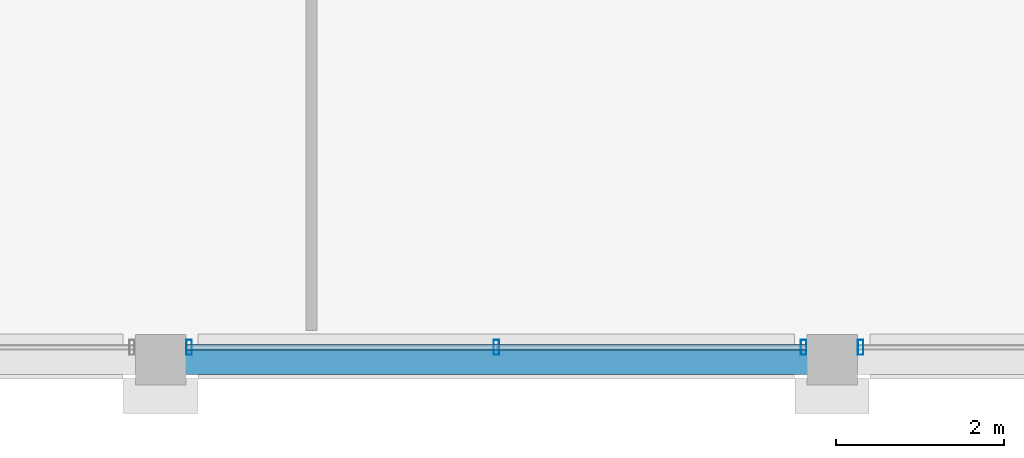
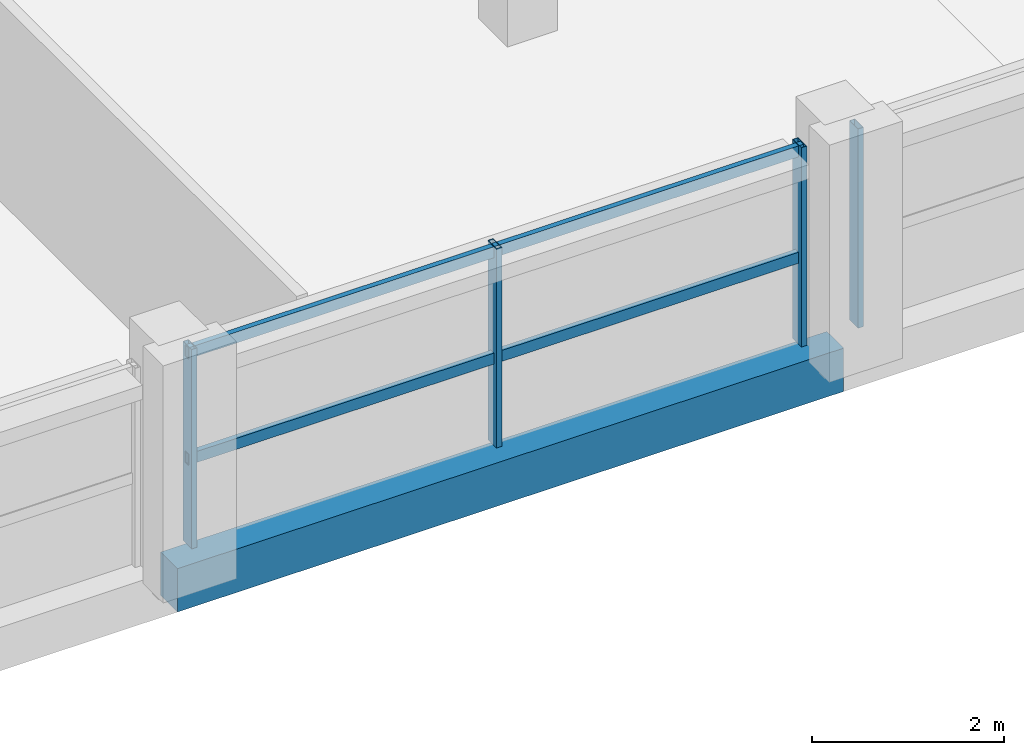
# One storey, part 5 of 24: 6 members, 1 beam, 2 elements without a shape of their own.
"""IFC4 building model written with IfcOpenShell, lengths in metres."""

from ifc_helpers import new_model, si_unit, direction, frame, origin, origin_2d, place, context, subcontext, project, spatial, rectangle, hollow_rectangle, extrude, material, material_profile, profile_set, type_object, element, aggregate, save


model = new_model("IFC4")

# Units and contexts
model_context = context("Model", 3, precision=1e-05, world=origin(), true_north=direction((0.0, 1.0)))
body_context = subcontext(model_context, "Body", "Model", "MODEL_VIEW")
ifc_project = project(units=[si_unit("LENGTHUNIT", "METRE"), si_unit("AREAUNIT", "SQUARE_METRE"), si_unit("VOLUMEUNIT", "CUBIC_METRE"), si_unit("PLANEANGLEUNIT", "RADIAN"), si_unit("MASSUNIT", "GRAM", prefix="KILO")], contexts=[model_context])

# Site, building, storey
site_placement = place(None, origin())
site = spatial("IfcSite", under=ifc_project, at=site_placement, CompositionType="ELEMENT")
building_placement = place(site_placement, origin())
building = spatial("IfcBuilding", under=site, at=building_placement, Name="Akrevak Sports Hall", CompositionType="ELEMENT")
storey_placement = place(building_placement, frame((0.0, 0.0, 63.300048828125)))
storey = spatial("IfcBuildingStorey", under=building, at=storey_placement, Name="L16", CompositionType="ELEMENT", Elevation=63.300048828125)

# Curtain wall, members
ifc_material_1 = material(Name="Anodized Bronze Aluminium & Low-E Glass", Category="aluminium")
curtain_wall_type = type_object("IfcCurtainWallType", Name="ARC-CW-TWR-72x30", PredefinedType="NOTDEFINED", material=ifc_material_1)
curtain_wall_1_placement = place(storey_placement, origin())
curtain_wall_1 = element("IfcCurtainWall", 1, at=curtain_wall_1_placement, inside=storey, type_object=curtain_wall_type, Name="Curtain Wall CW-L16-S03", PredefinedType="NOTDEFINED")
ifc_material_2 = material(Name="Anodized Bronze Aluminium", Category="aluminium")
ifc_material_profile_1 = material_profile(ifc_material_2, hollow_rectangle(XDim=0.06494140625, YDim=0.179931640625, WallThickness=0.00390625, at=origin_2d()), Name="CWM 65x180", Category="aluminium")
ifc_profile_set_1 = profile_set([ifc_material_profile_1], Name="Anodized Bronze Aluminium")
member_type_1 = type_object("IfcMemberType", Name="ARC-CWM-65x140", PredefinedType="MULLION", material=ifc_profile_set_1)
member_1_placement = place(storey_placement, frame((68.340087890625, 35.550048828125, 0.0), z_axis=(0.0, 0.0, 1.0), x_axis=(1.0, 0.0, 0.0)))
member_1 = element("IfcMember", 2, at=member_1_placement, type_object=member_type_1, Name="Curtain Wall Mullion CW-L16-S03-M1", PredefinedType="MULLION", context=body_context, shape_type="SweptSolid", body=[
    extrude(hollow_rectangle(XDim=0.06494140625, YDim=0.179931640625, WallThickness=0.00390625, at=origin_2d()), origin(), (0.0, 0.0, 1.0), 2.530029296875),
])
member_2_placement = place(storey_placement, frame((72.0, 35.550048828125, 0.0), z_axis=(0.0, 0.0, 1.0), x_axis=(1.0, 0.0, 0.0)))
member_2 = element("IfcMember", 3, at=member_2_placement, type_object=member_type_1, Name="Curtain Wall Mullion CW-L16-S03-M2", PredefinedType="MULLION", context=body_context, shape_type="SweptSolid", body=[
    extrude(hollow_rectangle(XDim=0.06494140625, YDim=0.179931640625, WallThickness=0.00390625, at=origin_2d()), origin(), (0.0, 0.0, 1.0), 2.530029296875),
])
member_3_placement = place(storey_placement, frame((75.659912109375, 35.550048828125, 0.0), z_axis=(0.0, 0.0, 1.0), x_axis=(1.0, 0.0, 0.0)))
member_3 = element("IfcMember", 4, at=member_3_placement, type_object=member_type_1, Name="Curtain Wall Mullion CW-L16-S03-M3", PredefinedType="MULLION", context=body_context, shape_type="SweptSolid", body=[
    extrude(hollow_rectangle(XDim=0.06494140625, YDim=0.179931640625, WallThickness=0.00390625, at=origin_2d()), origin(), (0.0, 0.0, 1.0), 2.530029296875),
])

# Curtain wall, member
curtain_wall_2_placement = place(storey_placement, origin())
curtain_wall_2 = element("IfcCurtainWall", 5, at=curtain_wall_2_placement, inside=storey, type_object=curtain_wall_type, Name="Curtain Wall CW-L16-S04", PredefinedType="NOTDEFINED")
member_4_placement = place(storey_placement, frame((76.340087890625, 35.550048828125, 0.0), z_axis=(0.0, 0.0, 1.0), x_axis=(1.0, 0.0, 0.0)))
member_4 = element("IfcMember", 6, at=member_4_placement, type_object=member_type_1, Name="Curtain Wall Mullion CW-L16-S04-M1", PredefinedType="MULLION", context=body_context, shape_type="SweptSolid", body=[
    extrude(hollow_rectangle(XDim=0.06494140625, YDim=0.179931640625, WallThickness=0.00390625, at=origin_2d()), origin(), (0.0, 0.0, 1.0), 2.530029296875),
])
aggregate(curtain_wall_2, [member_4])

# Member
ifc_material_profile_2 = material_profile(ifc_material_2, hollow_rectangle(XDim=0.06494140625, YDim=0.139892578125, WallThickness=0.00390625, at=origin_2d()), Name="CWT 65x140", Category="aluminium")
ifc_profile_set_2 = profile_set([ifc_material_profile_2], Name="Anodized Bronze Aluminium")
member_type_2 = type_object("IfcMemberType", Name="ARC-CWT-65x110", PredefinedType="USERDEFINED", material=ifc_profile_set_2)
member_5_placement = place(storey_placement, frame((68.300048828125, 35.550048828125, 1.099853515625), z_axis=(1.0, 0.0, 0.0), x_axis=(0.0, 1.0, 0.0)))
member_5 = element("IfcMember", 7, at=member_5_placement, type_object=member_type_2, Name="Curtain Wall Transom CW-L16-S03-T1", ObjectType="TRANSOM", PredefinedType="USERDEFINED", context=body_context, shape_type="SweptSolid", body=[
    extrude(hollow_rectangle(XDim=0.06494140625, YDim=0.139892578125, WallThickness=0.00390625, at=origin_2d()), origin(), (0.0, 0.0, 1.0), 7.39990234375),
])

member_6_placement = place(storey_placement, frame((68.300048828125, 35.550048828125, 2.449951171875), z_axis=(1.0, 0.0, 0.0), x_axis=(0.0, 1.0, 0.0)))
member_6 = element("IfcMember", 8, at=member_6_placement, type_object=member_type_2, Name="Curtain Wall Transom CW-L16-S03-T2", ObjectType="TRANSOM", PredefinedType="USERDEFINED", context=body_context, shape_type="SweptSolid", body=[
    extrude(hollow_rectangle(XDim=0.06494140625, YDim=0.139892578125, WallThickness=0.00390625, at=origin_2d()), origin(), (0.0, 0.0, 1.0), 7.39990234375),
])

aggregate(curtain_wall_1, [member_1, member_2, member_3, member_5, member_6])

# Beam
ifc_material_3 = material(Name="Concrete C40/50", Category="concrete")
ifc_material_profile_3 = material_profile(ifc_material_3, rectangle(XDim=0.35009765625, YDim=0.550048828125, at=origin_2d()), Name="BM 350x550", Category="concrete")
ifc_profile_set_3 = profile_set([ifc_material_profile_3], Name="Concrete C40/50")
beam_type = type_object("IfcBeamType", Name="STR-BM-RC350x550", PredefinedType="BEAM", material=ifc_profile_set_3)
beam_placement = place(storey_placement, frame((68.0, 35.39990234375, -0.275146484375), z_axis=(1.0, 0.0, 0.0), x_axis=(0.0, 1.0, 0.0)))
element("IfcBeam", 9, at=beam_placement, inside=storey, type_object=beam_type, Name="Girder F/10-11 (L16)", PredefinedType="BEAM", context=body_context, shape_type="SweptSolid", body=[
    extrude(rectangle(XDim=0.35009765625, YDim=0.550048828125, at=origin_2d()), origin(), (0.0, 0.0, 1.0), 8.0),
])

save(model, "model.ifc")
